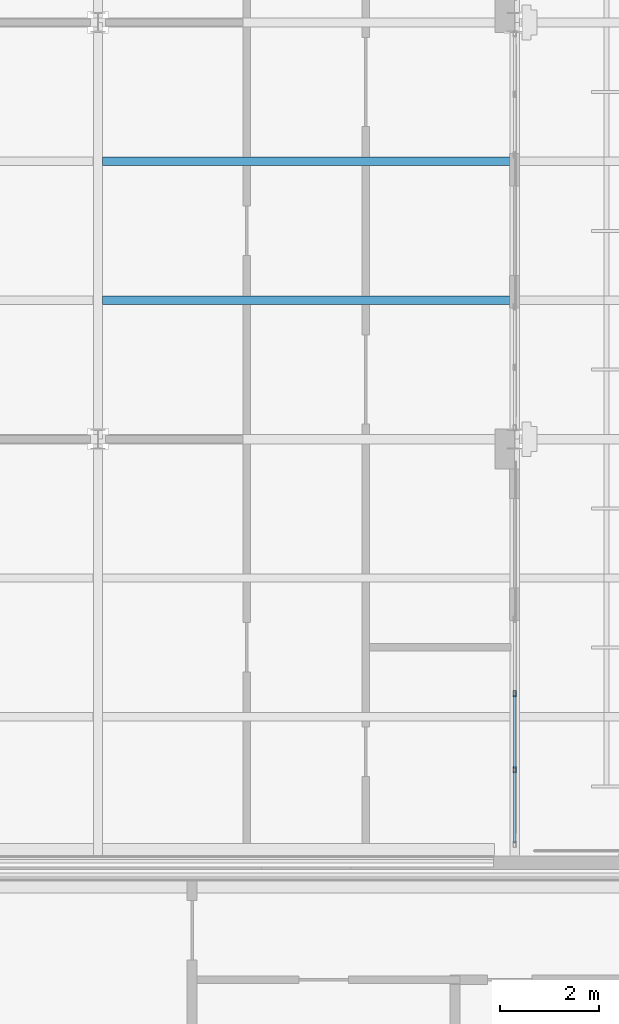
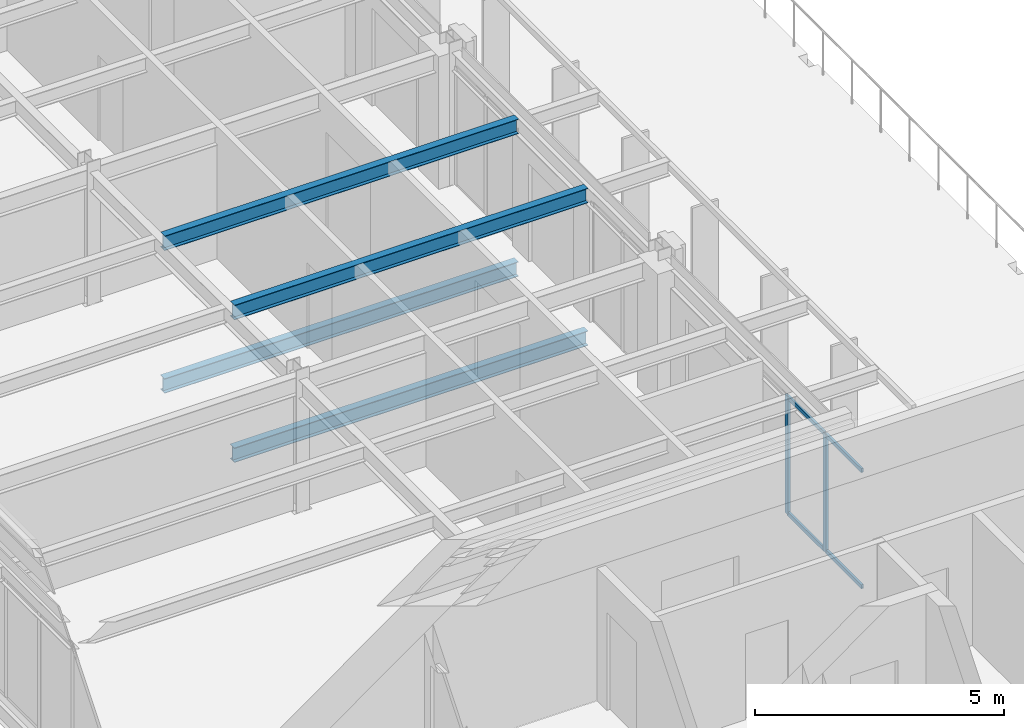
# One storey, part 9 of 31: 6 members, 4 beams, 1 element without a shape of its own.
"""IFC4 building model written with IfcOpenShell, lengths in metres."""

from ifc_helpers import new_model, si_unit, direction, frame, origin, origin_2d, place, context, subcontext, project, spatial, hollow_rectangle, i_section, extrude, material, material_profile, profile_set, type_object, element, aggregate, save


model = new_model("IFC4")

# Units and contexts
model_context = context("Model", 3, precision=1e-05, world=origin(), true_north=direction((0.0, 1.0)))
body_context = subcontext(model_context, "Body", "Model", "MODEL_VIEW")
ifc_project = project(units=[si_unit("LENGTHUNIT", "METRE"), si_unit("AREAUNIT", "SQUARE_METRE"), si_unit("VOLUMEUNIT", "CUBIC_METRE"), si_unit("PLANEANGLEUNIT", "RADIAN"), si_unit("MASSUNIT", "GRAM", prefix="KILO")], contexts=[model_context])

# Site, building, storey
site_placement = place(None, origin())
site = spatial("IfcSite", under=ifc_project, at=site_placement, CompositionType="ELEMENT")
building_placement = place(site_placement, origin())
building = spatial("IfcBuilding", under=site, at=building_placement, Name="Catenary Quay Ferry Terminal", CompositionType="ELEMENT")
storey_placement = place(building_placement, frame((0.0, 0.0, 20.60009765625)))
storey = spatial("IfcBuildingStorey", under=building, at=storey_placement, Name="L04", CompositionType="ELEMENT", Elevation=20.60009765625)

# Beams
ifc_material_1 = material(Name="Steel S355", Category="steel")
ifc_material_profile_1 = material_profile(ifc_material_1, i_section(OverallWidth=0.169921875, OverallDepth=0.360107421875, WebThickness=0.008056640625, FlangeThickness=0.0126953125, at=origin_2d()), Name="IPE 360")
ifc_profile_set_1 = profile_set([ifc_material_profile_1], Name="Steel S355")
beam_type = type_object("IfcBeamType", Name="B7 IPE 360", PredefinedType="BEAM", material=ifc_profile_set_1)
for number, where, z_axis, x_axis, name in (
    (1, (33.695068359375, 179.199951171875, -0.43017578125), (1.0, 0.0, 0.0), (0.0, 1.0, 0.0), "Beam B7-008"),
    (2, (33.695068359375, 182.0, -0.43017578125), (1.0, 0.0, 0.0), (0.0, 1.0, 0.0), "Beam B7-011"),
    (3, (33.695068359375, 179.199951171875, 3.06982421875), (1.0, 0.0, 0.0), (0.0, 1.0, 0.0), "Beam B7-006"),
    (4, (33.695068359375, 182.0, 3.06982421875), (1.0, 0.0, 0.0), (0.0, 1.0, 0.0), "Beam B7-008"),
):
    element("IfcBeam", number, at=place(storey_placement, frame(where, z_axis=z_axis, x_axis=x_axis)), inside=storey, type_object=beam_type, Name=name, PredefinedType="BEAM", context=body_context, shape_type="SweptSolid", body=[
        extrude(i_section(OverallWidth=0.169921875, OverallDepth=0.360107421875, WebThickness=0.008056640625, FlangeThickness=0.0126953125, at=origin_2d()), origin(), (0.0, 0.0, 1.0), 8.2099609375),
    ])

# Curtain wall, members
ifc_material_2 = material(Name="Aluminium and glass", Category="aluminium")
curtain_wall_type = type_object("IfcCurtainWallType", Name="CWW5", PredefinedType="NOTDEFINED", material=ifc_material_2)
curtain_wall_placement = place(storey_placement, origin())
curtain_wall = element("IfcCurtainWall", 5, at=curtain_wall_placement, inside=storey, type_object=curtain_wall_type, Name="Wing curtain wall CW158", PredefinedType="NOTDEFINED")
ifc_material_3 = material(Name="Aluminium", Category="aluminium")
ifc_material_profile_2 = material_profile(ifc_material_3, hollow_rectangle(XDim=0.06005859375, YDim=0.1201171875, WallThickness=0.0048828125, at=origin_2d()), Name="MU4")
ifc_profile_set_2 = profile_set([ifc_material_profile_2], Name="Aluminium")
member_type_1 = type_object("IfcMemberType", Name="MU4", PredefinedType="MULLION", material=ifc_profile_set_2)
member_1_placement = place(storey_placement, frame((42.0, 169.7333984375, 0.0), z_axis=(0.0, 0.0, 1.0), x_axis=(-1.0, 0.0, 0.0)))
member_1 = element("IfcMember", 6, at=member_1_placement, type_object=member_type_1, Name="CW158 mullion 2", PredefinedType="MULLION", context=body_context, shape_type="SweptSolid", body=[
    extrude(hollow_rectangle(XDim=0.06005859375, YDim=0.1201171875, WallThickness=0.0048828125, at=origin_2d()), origin(), (0.0, 0.0, 1.0), 2.89990234375),
])
member_2_placement = place(storey_placement, frame((42.0, 171.2666015625, 0.0), z_axis=(0.0, 0.0, 1.0), x_axis=(-1.0, 0.0, 0.0)))
member_2 = element("IfcMember", 7, at=member_2_placement, type_object=member_type_1, Name="CW158 mullion 3", PredefinedType="MULLION", context=body_context, shape_type="SweptSolid", body=[
    extrude(hollow_rectangle(XDim=0.06005859375, YDim=0.1201171875, WallThickness=0.0048828125, at=origin_2d()), origin(), (0.0, 0.0, 1.0), 2.89990234375),
])
ifc_material_4 = material(Name="Aluminium", Category="aluminium")
ifc_material_profile_3 = material_profile(ifc_material_4, hollow_rectangle(XDim=0.050048828125, YDim=0.10009765625, WallThickness=0.00390625, at=origin_2d()), Name="TR4")
ifc_profile_set_3 = profile_set([ifc_material_profile_3], Name="Aluminium")
member_type_2 = type_object("IfcMemberType", Name="TR4", PredefinedType="USERDEFINED", material=ifc_profile_set_3)
member_3_placement = place(storey_placement, frame((42.0, 168.260009765625, 0.02490234375), z_axis=(0.0, 1.0, 0.0), x_axis=(-1.0, 0.0, 0.0)))
member_3 = element("IfcMember", 8, at=member_3_placement, type_object=member_type_2, Name="CW158 transom 1.1", ObjectType="TRANSOM", PredefinedType="USERDEFINED", context=body_context, shape_type="SweptSolid", body=[
    extrude(hollow_rectangle(XDim=0.050048828125, YDim=0.10009765625, WallThickness=0.00390625, at=origin_2d()), origin(), (0.0, 0.0, 1.0), 1.443359375),
])
member_4_placement = place(storey_placement, frame((42.0, 168.260009765625, 2.875), z_axis=(0.0, 1.0, 0.0), x_axis=(-1.0, 0.0, 0.0)))
member_4 = element("IfcMember", 9, at=member_4_placement, type_object=member_type_2, Name="CW158 transom 1.2", ObjectType="TRANSOM", PredefinedType="USERDEFINED", context=body_context, shape_type="SweptSolid", body=[
    extrude(hollow_rectangle(XDim=0.050048828125, YDim=0.10009765625, WallThickness=0.00390625, at=origin_2d()), origin(), (0.0, 0.0, 1.0), 1.443359375),
])
member_5_placement = place(storey_placement, frame((42.0, 169.763427734375, 0.02490234375), z_axis=(0.0, 1.0, 0.0), x_axis=(-1.0, 0.0, 0.0)))
member_5 = element("IfcMember", 10, at=member_5_placement, type_object=member_type_2, Name="CW158 transom 2.1", ObjectType="TRANSOM", PredefinedType="USERDEFINED", context=body_context, shape_type="SweptSolid", body=[
    extrude(hollow_rectangle(XDim=0.050048828125, YDim=0.10009765625, WallThickness=0.00390625, at=origin_2d()), origin(), (0.0, 0.0, 1.0), 1.47314453125),
])
member_6_placement = place(storey_placement, frame((42.0, 169.763427734375, 2.875), z_axis=(0.0, 1.0, 0.0), x_axis=(-1.0, 0.0, 0.0)))
member_6 = element("IfcMember", 11, at=member_6_placement, type_object=member_type_2, Name="CW158 transom 2.2", ObjectType="TRANSOM", PredefinedType="USERDEFINED", context=body_context, shape_type="SweptSolid", body=[
    extrude(hollow_rectangle(XDim=0.050048828125, YDim=0.10009765625, WallThickness=0.00390625, at=origin_2d()), origin(), (0.0, 0.0, 1.0), 1.47314453125),
])
aggregate(curtain_wall, [member_1, member_2, member_3, member_4, member_5, member_6])

save(model, "model.ifc")
